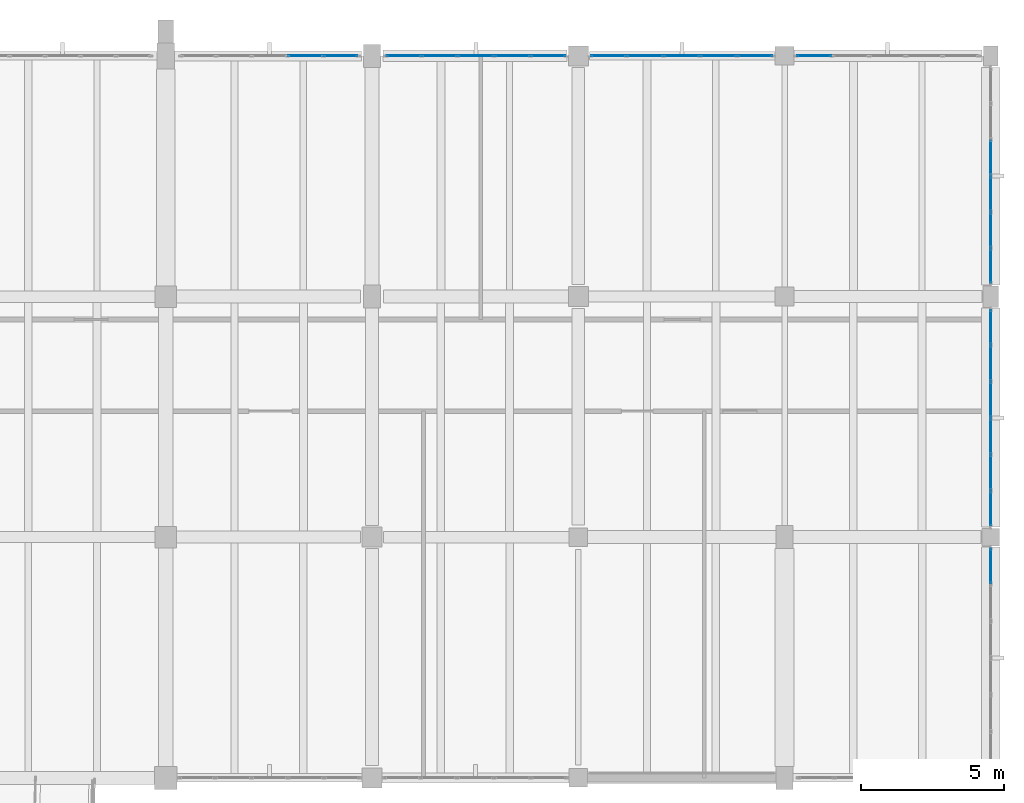
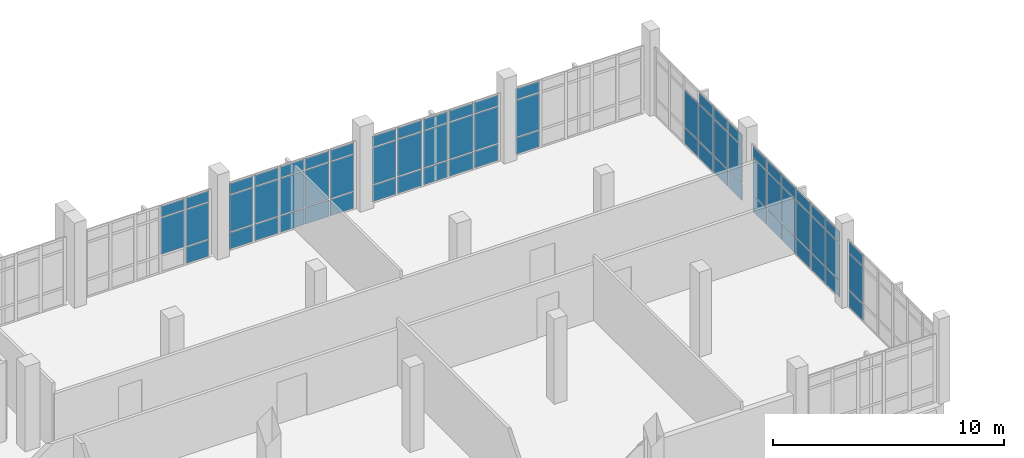
# One storey, part 98 of 116: 70 plates, 7 elements without a shape of their own.
"""IFC4 building model written with IfcOpenShell, lengths in metres."""

from ifc_helpers import new_model, si_unit, direction, frame, origin, origin_2d, place, context, subcontext, project, spatial, rectangle, extrude, material, layer, layer_set, type_object, element, aggregate, save


model = new_model("IFC4")

# Units and contexts
model_context = context("Model", 3, precision=1e-05, world=origin(), true_north=direction((0.0, 1.0)))
body_context = subcontext(model_context, "Body", "Model", "MODEL_VIEW")
ifc_project = project(units=[si_unit("LENGTHUNIT", "METRE"), si_unit("AREAUNIT", "SQUARE_METRE"), si_unit("VOLUMEUNIT", "CUBIC_METRE"), si_unit("PLANEANGLEUNIT", "RADIAN"), si_unit("MASSUNIT", "GRAM", prefix="KILO")], contexts=[model_context])

# Site, building, storey
site_placement = place(None, origin())
site = spatial("IfcSite", under=ifc_project, at=site_placement, CompositionType="ELEMENT")
building_placement = place(site_placement, origin())
building = spatial("IfcBuilding", under=site, at=building_placement, Name="Kalluvel Institute of Natural Sciences", CompositionType="ELEMENT")
storey_placement = place(building_placement, frame((0.0, 0.0, 14.39990234375)))
storey = spatial("IfcBuildingStorey", under=building, at=storey_placement, Name="L03", CompositionType="ELEMENT", Elevation=14.39990234375)

# Curtain wall, plates
ifc_material_1 = material(Name="Aluminium AW-6063 T6", Category="aluminium")
curtain_wall_type = type_object("IfcCurtainWallType", Name="CW-WET-45", PredefinedType="USERDEFINED", material=ifc_material_1)
curtain_wall_1_placement = place(storey_placement, origin())
curtain_wall_1 = element("IfcCurtainWall", 1, at=curtain_wall_1_placement, inside=storey, type_object=curtain_wall_type, Name="L03 Gothic lancet curtain wall CWA-L03-X865-Y1280", ObjectType="UNITISED LANCET FACADE", PredefinedType="USERDEFINED")
ifc_material_2 = material(Name="Solar-Control Low-E Laminated Glass", Category="glass")
ifc_layer = layer(ifc_material_2, 0.028076171875)
ifc_layer_set = layer_set([ifc_layer], Name="Solar-Control Low-E Laminated Glass")
plate_type = type_object("IfcPlateType", Name="CWP-DGU-28", PredefinedType="CURTAIN_PANEL", material=ifc_layer_set)
plate_1_placement = place(storey_placement, frame((90.875, 128.0, 0.980224609375), z_axis=(0.0, 0.0, 1.0), x_axis=(1.0, 0.0, 0.0)))
plate_1 = element("IfcPlate", 2, at=plate_1_placement, type_object=plate_type, Name="CW-01 panel 4.2", PredefinedType="CURTAIN_PANEL", context=body_context, shape_type="SweptSolid", body=[
    extrude(rectangle(XDim=1.18994140625, YDim=0.028076171875, at=origin_2d()), origin(), (0.0, 0.0, 1.0), 1.919921875),
])
plate_2_placement = place(storey_placement, frame((90.875, 128.0, 2.9599609375), z_axis=(0.0, 0.0, 1.0), x_axis=(1.0, 0.0, 0.0)))
plate_2 = element("IfcPlate", 3, at=plate_2_placement, type_object=plate_type, Name="CW-01 panel 4.3", PredefinedType="CURTAIN_PANEL", context=body_context, shape_type="SweptSolid", body=[
    extrude(rectangle(XDim=1.18994140625, YDim=0.028076171875, at=origin_2d()), origin(), (0.0, 0.0, 1.0), 0.56005859375),
])
plate_3_placement = place(storey_placement, frame((92.110107421875, 128.0, 0.06005859375), z_axis=(0.0, 0.0, 1.0), x_axis=(1.0, 0.0, 0.0)))
plate_3 = element("IfcPlate", 4, at=plate_3_placement, type_object=plate_type, Name="CW-01 panel 5.1", PredefinedType="CURTAIN_PANEL", context=body_context, shape_type="SweptSolid", body=[
    extrude(rectangle(XDim=1.159912109375, YDim=0.028076171875, at=origin_2d()), origin(), (0.0, 0.0, 1.0), 0.860107421875),
])
plate_4_placement = place(storey_placement, frame((92.110107421875, 128.0, 0.980224609375), z_axis=(0.0, 0.0, 1.0), x_axis=(1.0, 0.0, 0.0)))
plate_4 = element("IfcPlate", 5, at=plate_4_placement, type_object=plate_type, Name="CW-01 panel 5.2", PredefinedType="CURTAIN_PANEL", context=body_context, shape_type="SweptSolid", body=[
    extrude(rectangle(XDim=1.159912109375, YDim=0.028076171875, at=origin_2d()), origin(), (0.0, 0.0, 1.0), 1.919921875),
])
plate_5_placement = place(storey_placement, frame((92.110107421875, 128.0, 2.9599609375), z_axis=(0.0, 0.0, 1.0), x_axis=(1.0, 0.0, 0.0)))
plate_5 = element("IfcPlate", 6, at=plate_5_placement, type_object=plate_type, Name="CW-01 panel 5.3", PredefinedType="CURTAIN_PANEL", context=body_context, shape_type="SweptSolid", body=[
    extrude(rectangle(XDim=1.159912109375, YDim=0.028076171875, at=origin_2d()), origin(), (0.0, 0.0, 1.0), 0.56005859375),
])
aggregate(curtain_wall_1, [plate_1, plate_2, plate_3, plate_4, plate_5])

curtain_wall_2_placement = place(storey_placement, origin())
curtain_wall_2 = element("IfcCurtainWall", 7, at=curtain_wall_2_placement, inside=storey, type_object=curtain_wall_type, Name="L03 Gothic lancet curtain wall CWA-L03-X936-Y1280", ObjectType="UNITISED LANCET FACADE", PredefinedType="USERDEFINED")
plate_6_placement = place(storey_placement, frame((94.300048828125, 128.0, 0.06005859375), z_axis=(0.0, 0.0, 1.0), x_axis=(1.0, 0.0, 0.0)))
plate_6 = element("IfcPlate", 8, at=plate_6_placement, type_object=plate_type, Name="CW-01 panel 1.1", PredefinedType="CURTAIN_PANEL", context=body_context, shape_type="SweptSolid", body=[
    extrude(rectangle(XDim=1.179931640625, YDim=0.028076171875, at=origin_2d()), origin(), (0.0, 0.0, 1.0), 0.860107421875),
])
plate_7_placement = place(storey_placement, frame((94.300048828125, 128.0, 0.980224609375), z_axis=(0.0, 0.0, 1.0), x_axis=(1.0, 0.0, 0.0)))
plate_7 = element("IfcPlate", 9, at=plate_7_placement, type_object=plate_type, Name="CW-01 panel 1.2", PredefinedType="CURTAIN_PANEL", context=body_context, shape_type="SweptSolid", body=[
    extrude(rectangle(XDim=1.179931640625, YDim=0.028076171875, at=origin_2d()), origin(), (0.0, 0.0, 1.0), 1.919921875),
])
plate_8_placement = place(storey_placement, frame((94.300048828125, 128.0, 2.9599609375), z_axis=(0.0, 0.0, 1.0), x_axis=(1.0, 0.0, 0.0)))
plate_8 = element("IfcPlate", 10, at=plate_8_placement, type_object=plate_type, Name="CW-01 panel 1.3", PredefinedType="CURTAIN_PANEL", context=body_context, shape_type="SweptSolid", body=[
    extrude(rectangle(XDim=1.179931640625, YDim=0.028076171875, at=origin_2d()), origin(), (0.0, 0.0, 1.0), 0.56005859375),
])
plate_9_placement = place(storey_placement, frame((95.554931640625, 128.0, 0.06005859375), z_axis=(0.0, 0.0, 1.0), x_axis=(1.0, 0.0, 0.0)))
plate_9 = element("IfcPlate", 11, at=plate_9_placement, type_object=plate_type, Name="CW-01 panel 2.1", PredefinedType="CURTAIN_PANEL", context=body_context, shape_type="SweptSolid", body=[
    extrude(rectangle(XDim=1.2099609375, YDim=0.028076171875, at=origin_2d()), origin(), (0.0, 0.0, 1.0), 0.860107421875),
])
plate_10_placement = place(storey_placement, frame((95.554931640625, 128.0, 0.980224609375), z_axis=(0.0, 0.0, 1.0), x_axis=(1.0, 0.0, 0.0)))
plate_10 = element("IfcPlate", 12, at=plate_10_placement, type_object=plate_type, Name="CW-01 panel 2.2", PredefinedType="CURTAIN_PANEL", context=body_context, shape_type="SweptSolid", body=[
    extrude(rectangle(XDim=1.2099609375, YDim=0.028076171875, at=origin_2d()), origin(), (0.0, 0.0, 1.0), 1.919921875),
])
plate_11_placement = place(storey_placement, frame((95.554931640625, 128.0, 2.9599609375), z_axis=(0.0, 0.0, 1.0), x_axis=(1.0, 0.0, 0.0)))
plate_11 = element("IfcPlate", 13, at=plate_11_placement, type_object=plate_type, Name="CW-01 panel 2.3", PredefinedType="CURTAIN_PANEL", context=body_context, shape_type="SweptSolid", body=[
    extrude(rectangle(XDim=1.2099609375, YDim=0.028076171875, at=origin_2d()), origin(), (0.0, 0.0, 1.0), 0.56005859375),
])
plate_12_placement = place(storey_placement, frame((96.824951171875, 128.0, 0.06005859375), z_axis=(0.0, 0.0, 1.0), x_axis=(1.0, 0.0, 0.0)))
plate_12 = element("IfcPlate", 14, at=plate_12_placement, type_object=plate_type, Name="CW-01 panel 3.1", PredefinedType="CURTAIN_PANEL", context=body_context, shape_type="SweptSolid", body=[
    extrude(rectangle(XDim=1.2099609375, YDim=0.028076171875, at=origin_2d()), origin(), (0.0, 0.0, 1.0), 0.860107421875),
])
plate_13_placement = place(storey_placement, frame((96.824951171875, 128.0, 0.980224609375), z_axis=(0.0, 0.0, 1.0), x_axis=(1.0, 0.0, 0.0)))
plate_13 = element("IfcPlate", 15, at=plate_13_placement, type_object=plate_type, Name="CW-01 panel 3.2", PredefinedType="CURTAIN_PANEL", context=body_context, shape_type="SweptSolid", body=[
    extrude(rectangle(XDim=1.2099609375, YDim=0.028076171875, at=origin_2d()), origin(), (0.0, 0.0, 1.0), 1.919921875),
])
plate_14_placement = place(storey_placement, frame((96.824951171875, 128.0, 2.9599609375), z_axis=(0.0, 0.0, 1.0), x_axis=(1.0, 0.0, 0.0)))
plate_14 = element("IfcPlate", 16, at=plate_14_placement, type_object=plate_type, Name="CW-01 panel 3.3", PredefinedType="CURTAIN_PANEL", context=body_context, shape_type="SweptSolid", body=[
    extrude(rectangle(XDim=1.2099609375, YDim=0.028076171875, at=origin_2d()), origin(), (0.0, 0.0, 1.0), 0.56005859375),
])
plate_15_placement = place(storey_placement, frame((98.094970703125, 128.0, 0.06005859375), z_axis=(0.0, 0.0, 1.0), x_axis=(1.0, 0.0, 0.0)))
plate_15 = element("IfcPlate", 17, at=plate_15_placement, type_object=plate_type, Name="CW-01 panel 4.1", PredefinedType="CURTAIN_PANEL", context=body_context, shape_type="SweptSolid", body=[
    extrude(rectangle(XDim=1.2099609375, YDim=0.028076171875, at=origin_2d()), origin(), (0.0, 0.0, 1.0), 0.860107421875),
])
plate_16_placement = place(storey_placement, frame((98.094970703125, 128.0, 0.980224609375), z_axis=(0.0, 0.0, 1.0), x_axis=(1.0, 0.0, 0.0)))
plate_16 = element("IfcPlate", 18, at=plate_16_placement, type_object=plate_type, Name="CW-01 panel 4.2", PredefinedType="CURTAIN_PANEL", context=body_context, shape_type="SweptSolid", body=[
    extrude(rectangle(XDim=1.2099609375, YDim=0.028076171875, at=origin_2d()), origin(), (0.0, 0.0, 1.0), 1.919921875),
])
plate_17_placement = place(storey_placement, frame((98.094970703125, 128.0, 2.9599609375), z_axis=(0.0, 0.0, 1.0), x_axis=(1.0, 0.0, 0.0)))
plate_17 = element("IfcPlate", 19, at=plate_17_placement, type_object=plate_type, Name="CW-01 panel 4.3", PredefinedType="CURTAIN_PANEL", context=body_context, shape_type="SweptSolid", body=[
    extrude(rectangle(XDim=1.2099609375, YDim=0.028076171875, at=origin_2d()), origin(), (0.0, 0.0, 1.0), 0.56005859375),
])
plate_18_placement = place(storey_placement, frame((99.35009765625, 128.0, 0.06005859375), z_axis=(0.0, 0.0, 1.0), x_axis=(1.0, 0.0, 0.0)))
plate_18 = element("IfcPlate", 20, at=plate_18_placement, type_object=plate_type, Name="CW-01 panel 5.1", PredefinedType="CURTAIN_PANEL", context=body_context, shape_type="SweptSolid", body=[
    extrude(rectangle(XDim=1.179931640625, YDim=0.028076171875, at=origin_2d()), origin(), (0.0, 0.0, 1.0), 0.860107421875),
])
plate_19_placement = place(storey_placement, frame((99.35009765625, 128.0, 0.980224609375), z_axis=(0.0, 0.0, 1.0), x_axis=(1.0, 0.0, 0.0)))
plate_19 = element("IfcPlate", 21, at=plate_19_placement, type_object=plate_type, Name="CW-01 panel 5.2", PredefinedType="CURTAIN_PANEL", context=body_context, shape_type="SweptSolid", body=[
    extrude(rectangle(XDim=1.179931640625, YDim=0.028076171875, at=origin_2d()), origin(), (0.0, 0.0, 1.0), 1.919921875),
])
plate_20_placement = place(storey_placement, frame((99.35009765625, 128.0, 2.9599609375), z_axis=(0.0, 0.0, 1.0), x_axis=(1.0, 0.0, 0.0)))
plate_20 = element("IfcPlate", 22, at=plate_20_placement, type_object=plate_type, Name="CW-01 panel 5.3", PredefinedType="CURTAIN_PANEL", context=body_context, shape_type="SweptSolid", body=[
    extrude(rectangle(XDim=1.179931640625, YDim=0.028076171875, at=origin_2d()), origin(), (0.0, 0.0, 1.0), 0.56005859375),
])
aggregate(curtain_wall_2, [plate_6, plate_7, plate_8, plate_9, plate_10, plate_11, plate_12, plate_13, plate_14, plate_15, plate_16, plate_17, plate_18, plate_19, plate_20])

curtain_wall_3_placement = place(storey_placement, origin())
curtain_wall_3 = element("IfcCurtainWall", 23, at=curtain_wall_3_placement, inside=storey, type_object=curtain_wall_type, Name="L03 Gothic lancet curtain wall CWA-L03-X1008-Y1280", ObjectType="UNITISED LANCET FACADE", PredefinedType="USERDEFINED")
plate_21_placement = place(storey_placement, frame((101.45751953125, 128.0, 0.06005859375), z_axis=(0.0, 0.0, 1.0), x_axis=(1.0, 0.0, 0.0)))
plate_21 = element("IfcPlate", 24, at=plate_21_placement, type_object=plate_type, Name="CW-01 panel 1.1", PredefinedType="CURTAIN_PANEL", context=body_context, shape_type="SweptSolid", body=[
    extrude(rectangle(XDim=1.195068359375, YDim=0.028076171875, at=origin_2d()), origin(), (0.0, 0.0, 1.0), 0.860107421875),
])
plate_22_placement = place(storey_placement, frame((101.45751953125, 128.0, 0.980224609375), z_axis=(0.0, 0.0, 1.0), x_axis=(1.0, 0.0, 0.0)))
plate_22 = element("IfcPlate", 25, at=plate_22_placement, type_object=plate_type, Name="CW-01 panel 1.2", PredefinedType="CURTAIN_PANEL", context=body_context, shape_type="SweptSolid", body=[
    extrude(rectangle(XDim=1.195068359375, YDim=0.028076171875, at=origin_2d()), origin(), (0.0, 0.0, 1.0), 1.919921875),
])
plate_23_placement = place(storey_placement, frame((101.45751953125, 128.0, 2.9599609375), z_axis=(0.0, 0.0, 1.0), x_axis=(1.0, 0.0, 0.0)))
plate_23 = element("IfcPlate", 26, at=plate_23_placement, type_object=plate_type, Name="CW-01 panel 1.3", PredefinedType="CURTAIN_PANEL", context=body_context, shape_type="SweptSolid", body=[
    extrude(rectangle(XDim=1.195068359375, YDim=0.028076171875, at=origin_2d()), origin(), (0.0, 0.0, 1.0), 0.56005859375),
])
plate_24_placement = place(storey_placement, frame((102.7275390625, 128.0, 0.06005859375), z_axis=(0.0, 0.0, 1.0), x_axis=(1.0, 0.0, 0.0)))
plate_24 = element("IfcPlate", 27, at=plate_24_placement, type_object=plate_type, Name="CW-01 panel 2.1", PredefinedType="CURTAIN_PANEL", context=body_context, shape_type="SweptSolid", body=[
    extrude(rectangle(XDim=1.22509765625, YDim=0.028076171875, at=origin_2d()), origin(), (0.0, 0.0, 1.0), 0.860107421875),
])
plate_25_placement = place(storey_placement, frame((102.7275390625, 128.0, 0.980224609375), z_axis=(0.0, 0.0, 1.0), x_axis=(1.0, 0.0, 0.0)))
plate_25 = element("IfcPlate", 28, at=plate_25_placement, type_object=plate_type, Name="CW-01 panel 2.2", PredefinedType="CURTAIN_PANEL", context=body_context, shape_type="SweptSolid", body=[
    extrude(rectangle(XDim=1.22509765625, YDim=0.028076171875, at=origin_2d()), origin(), (0.0, 0.0, 1.0), 1.919921875),
])
plate_26_placement = place(storey_placement, frame((102.7275390625, 128.0, 2.9599609375), z_axis=(0.0, 0.0, 1.0), x_axis=(1.0, 0.0, 0.0)))
plate_26 = element("IfcPlate", 29, at=plate_26_placement, type_object=plate_type, Name="CW-01 panel 2.3", PredefinedType="CURTAIN_PANEL", context=body_context, shape_type="SweptSolid", body=[
    extrude(rectangle(XDim=1.22509765625, YDim=0.028076171875, at=origin_2d()), origin(), (0.0, 0.0, 1.0), 0.56005859375),
])
plate_27_placement = place(storey_placement, frame((104.012451171875, 128.0, 0.06005859375), z_axis=(0.0, 0.0, 1.0), x_axis=(1.0, 0.0, 0.0)))
plate_27 = element("IfcPlate", 30, at=plate_27_placement, type_object=plate_type, Name="CW-01 panel 3.1", PredefinedType="CURTAIN_PANEL", context=body_context, shape_type="SweptSolid", body=[
    extrude(rectangle(XDim=1.22509765625, YDim=0.028076171875, at=origin_2d()), origin(), (0.0, 0.0, 1.0), 0.860107421875),
])
plate_28_placement = place(storey_placement, frame((104.012451171875, 128.0, 0.980224609375), z_axis=(0.0, 0.0, 1.0), x_axis=(1.0, 0.0, 0.0)))
plate_28 = element("IfcPlate", 31, at=plate_28_placement, type_object=plate_type, Name="CW-01 panel 3.2", PredefinedType="CURTAIN_PANEL", context=body_context, shape_type="SweptSolid", body=[
    extrude(rectangle(XDim=1.22509765625, YDim=0.028076171875, at=origin_2d()), origin(), (0.0, 0.0, 1.0), 1.919921875),
])
plate_29_placement = place(storey_placement, frame((104.012451171875, 128.0, 2.9599609375), z_axis=(0.0, 0.0, 1.0), x_axis=(1.0, 0.0, 0.0)))
plate_29 = element("IfcPlate", 32, at=plate_29_placement, type_object=plate_type, Name="CW-01 panel 3.3", PredefinedType="CURTAIN_PANEL", context=body_context, shape_type="SweptSolid", body=[
    extrude(rectangle(XDim=1.22509765625, YDim=0.028076171875, at=origin_2d()), origin(), (0.0, 0.0, 1.0), 0.56005859375),
])
plate_30_placement = place(storey_placement, frame((105.297607421875, 128.0, 0.06005859375), z_axis=(0.0, 0.0, 1.0), x_axis=(1.0, 0.0, 0.0)))
plate_30 = element("IfcPlate", 33, at=plate_30_placement, type_object=plate_type, Name="CW-01 panel 4.1", PredefinedType="CURTAIN_PANEL", context=body_context, shape_type="SweptSolid", body=[
    extrude(rectangle(XDim=1.22509765625, YDim=0.028076171875, at=origin_2d()), origin(), (0.0, 0.0, 1.0), 0.860107421875),
])
plate_31_placement = place(storey_placement, frame((105.297607421875, 128.0, 0.980224609375), z_axis=(0.0, 0.0, 1.0), x_axis=(1.0, 0.0, 0.0)))
plate_31 = element("IfcPlate", 34, at=plate_31_placement, type_object=plate_type, Name="CW-01 panel 4.2", PredefinedType="CURTAIN_PANEL", context=body_context, shape_type="SweptSolid", body=[
    extrude(rectangle(XDim=1.22509765625, YDim=0.028076171875, at=origin_2d()), origin(), (0.0, 0.0, 1.0), 1.919921875),
])
plate_32_placement = place(storey_placement, frame((105.297607421875, 128.0, 2.9599609375), z_axis=(0.0, 0.0, 1.0), x_axis=(1.0, 0.0, 0.0)))
plate_32 = element("IfcPlate", 35, at=plate_32_placement, type_object=plate_type, Name="CW-01 panel 4.3", PredefinedType="CURTAIN_PANEL", context=body_context, shape_type="SweptSolid", body=[
    extrude(rectangle(XDim=1.22509765625, YDim=0.028076171875, at=origin_2d()), origin(), (0.0, 0.0, 1.0), 0.56005859375),
])
plate_33_placement = place(storey_placement, frame((106.5673828125, 128.0, 0.06005859375), z_axis=(0.0, 0.0, 1.0), x_axis=(1.0, 0.0, 0.0)))
plate_33 = element("IfcPlate", 36, at=plate_33_placement, type_object=plate_type, Name="CW-01 panel 5.1", PredefinedType="CURTAIN_PANEL", context=body_context, shape_type="SweptSolid", body=[
    extrude(rectangle(XDim=1.195068359375, YDim=0.028076171875, at=origin_2d()), origin(), (0.0, 0.0, 1.0), 0.860107421875),
])
plate_34_placement = place(storey_placement, frame((106.5673828125, 128.0, 0.980224609375), z_axis=(0.0, 0.0, 1.0), x_axis=(1.0, 0.0, 0.0)))
plate_34 = element("IfcPlate", 37, at=plate_34_placement, type_object=plate_type, Name="CW-01 panel 5.2", PredefinedType="CURTAIN_PANEL", context=body_context, shape_type="SweptSolid", body=[
    extrude(rectangle(XDim=1.195068359375, YDim=0.028076171875, at=origin_2d()), origin(), (0.0, 0.0, 1.0), 1.919921875),
])
plate_35_placement = place(storey_placement, frame((106.5673828125, 128.0, 2.9599609375), z_axis=(0.0, 0.0, 1.0), x_axis=(1.0, 0.0, 0.0)))
plate_35 = element("IfcPlate", 38, at=plate_35_placement, type_object=plate_type, Name="CW-01 panel 5.3", PredefinedType="CURTAIN_PANEL", context=body_context, shape_type="SweptSolid", body=[
    extrude(rectangle(XDim=1.195068359375, YDim=0.028076171875, at=origin_2d()), origin(), (0.0, 0.0, 1.0), 0.56005859375),
])
aggregate(curtain_wall_3, [plate_21, plate_22, plate_23, plate_24, plate_25, plate_26, plate_27, plate_28, plate_29, plate_30, plate_31, plate_32, plate_33, plate_34, plate_35])

curtain_wall_4_placement = place(storey_placement, origin())
curtain_wall_4 = element("IfcCurtainWall", 39, at=curtain_wall_4_placement, inside=storey, type_object=curtain_wall_type, Name="L03 Gothic lancet curtain wall CWA-L03-X1080-Y1280", ObjectType="UNITISED LANCET FACADE", PredefinedType="USERDEFINED")
plate_36_placement = place(storey_placement, frame((108.632568359375, 128.0, 0.06005859375), z_axis=(0.0, 0.0, 1.0), x_axis=(1.0, 0.0, 0.0)))
plate_36 = element("IfcPlate", 40, at=plate_36_placement, type_object=plate_type, Name="CW-01 panel 1.1", PredefinedType="CURTAIN_PANEL", context=body_context, shape_type="SweptSolid", body=[
    extrude(rectangle(XDim=1.195068359375, YDim=0.028076171875, at=origin_2d()), origin(), (0.0, 0.0, 1.0), 0.860107421875),
])
plate_37_placement = place(storey_placement, frame((108.632568359375, 128.0, 0.980224609375), z_axis=(0.0, 0.0, 1.0), x_axis=(1.0, 0.0, 0.0)))
plate_37 = element("IfcPlate", 41, at=plate_37_placement, type_object=plate_type, Name="CW-01 panel 1.2", PredefinedType="CURTAIN_PANEL", context=body_context, shape_type="SweptSolid", body=[
    extrude(rectangle(XDim=1.195068359375, YDim=0.028076171875, at=origin_2d()), origin(), (0.0, 0.0, 1.0), 1.919921875),
])
plate_38_placement = place(storey_placement, frame((108.632568359375, 128.0, 2.9599609375), z_axis=(0.0, 0.0, 1.0), x_axis=(1.0, 0.0, 0.0)))
plate_38 = element("IfcPlate", 42, at=plate_38_placement, type_object=plate_type, Name="CW-01 panel 1.3", PredefinedType="CURTAIN_PANEL", context=body_context, shape_type="SweptSolid", body=[
    extrude(rectangle(XDim=1.195068359375, YDim=0.028076171875, at=origin_2d()), origin(), (0.0, 0.0, 1.0), 0.56005859375),
])
aggregate(curtain_wall_4, [plate_36, plate_37, plate_38])

curtain_wall_5_placement = place(storey_placement, origin())
curtain_wall_5 = element("IfcCurtainWall", 43, at=curtain_wall_5_placement, inside=storey, type_object=curtain_wall_type, Name="L03 Gothic lancet curtain wall CWA-L03-X1148-Y1031", ObjectType="UNITISED LANCET FACADE", PredefinedType="USERDEFINED")
plate_39_placement = place(storey_placement, frame((114.800048828125, 110.191162109375, 0.06005859375), z_axis=(0.0, 0.0, 1.0), x_axis=(0.0, 1.0, 0.0)))
plate_39 = element("IfcPlate", 44, at=plate_39_placement, type_object=plate_type, Name="CW-01 panel 6.1", PredefinedType="CURTAIN_PANEL", context=body_context, shape_type="SweptSolid", body=[
    extrude(rectangle(XDim=1.197509765625, YDim=0.028076171875, at=origin_2d()), origin(), (0.0, 0.0, 1.0), 0.860107421875),
])
plate_40_placement = place(storey_placement, frame((114.800048828125, 110.191162109375, 0.980224609375), z_axis=(0.0, 0.0, 1.0), x_axis=(0.0, 1.0, 0.0)))
plate_40 = element("IfcPlate", 45, at=plate_40_placement, type_object=plate_type, Name="CW-01 panel 6.2", PredefinedType="CURTAIN_PANEL", context=body_context, shape_type="SweptSolid", body=[
    extrude(rectangle(XDim=1.197509765625, YDim=0.028076171875, at=origin_2d()), origin(), (0.0, 0.0, 1.0), 1.919921875),
])
plate_41_placement = place(storey_placement, frame((114.800048828125, 110.191162109375, 2.9599609375), z_axis=(0.0, 0.0, 1.0), x_axis=(0.0, 1.0, 0.0)))
plate_41 = element("IfcPlate", 46, at=plate_41_placement, type_object=plate_type, Name="CW-01 panel 6.3", PredefinedType="CURTAIN_PANEL", context=body_context, shape_type="SweptSolid", body=[
    extrude(rectangle(XDim=1.197509765625, YDim=0.028076171875, at=origin_2d()), origin(), (0.0, 0.0, 1.0), 0.56005859375),
])
aggregate(curtain_wall_5, [plate_39, plate_40, plate_41])

curtain_wall_6_placement = place(storey_placement, origin())
curtain_wall_6 = element("IfcCurtainWall", 47, at=curtain_wall_6_placement, inside=storey, type_object=curtain_wall_type, Name="L03 Gothic lancet curtain wall CWA-L03-X1148-Y1116", ObjectType="UNITISED LANCET FACADE", PredefinedType="USERDEFINED")
plate_42_placement = place(storey_placement, frame((114.800048828125, 112.200439453125, 0.06005859375), z_axis=(0.0, 0.0, 1.0), x_axis=(0.0, 1.0, 0.0)))
plate_42 = element("IfcPlate", 48, at=plate_42_placement, type_object=plate_type, Name="CW-01 panel 1.1", PredefinedType="CURTAIN_PANEL", context=body_context, shape_type="SweptSolid", body=[
    extrude(rectangle(XDim=1.180908203125, YDim=0.028076171875, at=origin_2d()), origin(), (0.0, 0.0, 1.0), 0.860107421875),
])
plate_43_placement = place(storey_placement, frame((114.800048828125, 112.200439453125, 0.980224609375), z_axis=(0.0, 0.0, 1.0), x_axis=(0.0, 1.0, 0.0)))
plate_43 = element("IfcPlate", 49, at=plate_43_placement, type_object=plate_type, Name="CW-01 panel 1.2", PredefinedType="CURTAIN_PANEL", context=body_context, shape_type="SweptSolid", body=[
    extrude(rectangle(XDim=1.180908203125, YDim=0.028076171875, at=origin_2d()), origin(), (0.0, 0.0, 1.0), 1.919921875),
])
plate_44_placement = place(storey_placement, frame((114.800048828125, 112.200439453125, 2.9599609375), z_axis=(0.0, 0.0, 1.0), x_axis=(0.0, 1.0, 0.0)))
plate_44 = element("IfcPlate", 50, at=plate_44_placement, type_object=plate_type, Name="CW-01 panel 1.3", PredefinedType="CURTAIN_PANEL", context=body_context, shape_type="SweptSolid", body=[
    extrude(rectangle(XDim=1.180908203125, YDim=0.028076171875, at=origin_2d()), origin(), (0.0, 0.0, 1.0), 0.56005859375),
])
plate_45_placement = place(storey_placement, frame((114.800048828125, 113.456298828125, 0.06005859375), z_axis=(0.0, 0.0, 1.0), x_axis=(0.0, 1.0, 0.0)))
plate_45 = element("IfcPlate", 51, at=plate_45_placement, type_object=plate_type, Name="CW-01 panel 2.1", PredefinedType="CURTAIN_PANEL", context=body_context, shape_type="SweptSolid", body=[
    extrude(rectangle(XDim=1.2109375, YDim=0.028076171875, at=origin_2d()), origin(), (0.0, 0.0, 1.0), 0.860107421875),
])
plate_46_placement = place(storey_placement, frame((114.800048828125, 113.456298828125, 0.980224609375), z_axis=(0.0, 0.0, 1.0), x_axis=(0.0, 1.0, 0.0)))
plate_46 = element("IfcPlate", 52, at=plate_46_placement, type_object=plate_type, Name="CW-01 panel 2.2", PredefinedType="CURTAIN_PANEL", context=body_context, shape_type="SweptSolid", body=[
    extrude(rectangle(XDim=1.2109375, YDim=0.028076171875, at=origin_2d()), origin(), (0.0, 0.0, 1.0), 1.919921875),
])
plate_47_placement = place(storey_placement, frame((114.800048828125, 113.456298828125, 2.9599609375), z_axis=(0.0, 0.0, 1.0), x_axis=(0.0, 1.0, 0.0)))
plate_47 = element("IfcPlate", 53, at=plate_47_placement, type_object=plate_type, Name="CW-01 panel 2.3", PredefinedType="CURTAIN_PANEL", context=body_context, shape_type="SweptSolid", body=[
    extrude(rectangle(XDim=1.2109375, YDim=0.028076171875, at=origin_2d()), origin(), (0.0, 0.0, 1.0), 0.56005859375),
])
plate_48_placement = place(storey_placement, frame((114.800048828125, 114.72705078125, 0.06005859375), z_axis=(0.0, 0.0, 1.0), x_axis=(0.0, 1.0, 0.0)))
plate_48 = element("IfcPlate", 54, at=plate_48_placement, type_object=plate_type, Name="CW-01 panel 3.1", PredefinedType="CURTAIN_PANEL", context=body_context, shape_type="SweptSolid", body=[
    extrude(rectangle(XDim=1.2109375, YDim=0.028076171875, at=origin_2d()), origin(), (0.0, 0.0, 1.0), 0.860107421875),
])
plate_49_placement = place(storey_placement, frame((114.800048828125, 114.72705078125, 0.980224609375), z_axis=(0.0, 0.0, 1.0), x_axis=(0.0, 1.0, 0.0)))
plate_49 = element("IfcPlate", 55, at=plate_49_placement, type_object=plate_type, Name="CW-01 panel 3.2", PredefinedType="CURTAIN_PANEL", context=body_context, shape_type="SweptSolid", body=[
    extrude(rectangle(XDim=1.2109375, YDim=0.028076171875, at=origin_2d()), origin(), (0.0, 0.0, 1.0), 1.919921875),
])
plate_50_placement = place(storey_placement, frame((114.800048828125, 114.72705078125, 2.9599609375), z_axis=(0.0, 0.0, 1.0), x_axis=(0.0, 1.0, 0.0)))
plate_50 = element("IfcPlate", 56, at=plate_50_placement, type_object=plate_type, Name="CW-01 panel 3.3", PredefinedType="CURTAIN_PANEL", context=body_context, shape_type="SweptSolid", body=[
    extrude(rectangle(XDim=1.2109375, YDim=0.028076171875, at=origin_2d()), origin(), (0.0, 0.0, 1.0), 0.56005859375),
])
plate_51_placement = place(storey_placement, frame((114.800048828125, 115.997802734375, 0.06005859375), z_axis=(0.0, 0.0, 1.0), x_axis=(0.0, 1.0, 0.0)))
plate_51 = element("IfcPlate", 57, at=plate_51_placement, type_object=plate_type, Name="CW-01 panel 4.1", PredefinedType="CURTAIN_PANEL", context=body_context, shape_type="SweptSolid", body=[
    extrude(rectangle(XDim=1.2109375, YDim=0.028076171875, at=origin_2d()), origin(), (0.0, 0.0, 1.0), 0.860107421875),
])
plate_52_placement = place(storey_placement, frame((114.800048828125, 115.997802734375, 0.980224609375), z_axis=(0.0, 0.0, 1.0), x_axis=(0.0, 1.0, 0.0)))
plate_52 = element("IfcPlate", 58, at=plate_52_placement, type_object=plate_type, Name="CW-01 panel 4.2", PredefinedType="CURTAIN_PANEL", context=body_context, shape_type="SweptSolid", body=[
    extrude(rectangle(XDim=1.2109375, YDim=0.028076171875, at=origin_2d()), origin(), (0.0, 0.0, 1.0), 1.919921875),
])
plate_53_placement = place(storey_placement, frame((114.800048828125, 115.997802734375, 2.9599609375), z_axis=(0.0, 0.0, 1.0), x_axis=(0.0, 1.0, 0.0)))
plate_53 = element("IfcPlate", 59, at=plate_53_placement, type_object=plate_type, Name="CW-01 panel 4.3", PredefinedType="CURTAIN_PANEL", context=body_context, shape_type="SweptSolid", body=[
    extrude(rectangle(XDim=1.2109375, YDim=0.028076171875, at=origin_2d()), origin(), (0.0, 0.0, 1.0), 0.56005859375),
])
plate_54_placement = place(storey_placement, frame((114.800048828125, 117.268798828125, 0.06005859375), z_axis=(0.0, 0.0, 1.0), x_axis=(0.0, 1.0, 0.0)))
plate_54 = element("IfcPlate", 60, at=plate_54_placement, type_object=plate_type, Name="CW-01 panel 5.1", PredefinedType="CURTAIN_PANEL", context=body_context, shape_type="SweptSolid", body=[
    extrude(rectangle(XDim=1.2109375, YDim=0.028076171875, at=origin_2d()), origin(), (0.0, 0.0, 1.0), 0.860107421875),
])
plate_55_placement = place(storey_placement, frame((114.800048828125, 117.268798828125, 0.980224609375), z_axis=(0.0, 0.0, 1.0), x_axis=(0.0, 1.0, 0.0)))
plate_55 = element("IfcPlate", 61, at=plate_55_placement, type_object=plate_type, Name="CW-01 panel 5.2", PredefinedType="CURTAIN_PANEL", context=body_context, shape_type="SweptSolid", body=[
    extrude(rectangle(XDim=1.2109375, YDim=0.028076171875, at=origin_2d()), origin(), (0.0, 0.0, 1.0), 1.919921875),
])
plate_56_placement = place(storey_placement, frame((114.800048828125, 117.268798828125, 2.9599609375), z_axis=(0.0, 0.0, 1.0), x_axis=(0.0, 1.0, 0.0)))
plate_56 = element("IfcPlate", 62, at=plate_56_placement, type_object=plate_type, Name="CW-01 panel 5.3", PredefinedType="CURTAIN_PANEL", context=body_context, shape_type="SweptSolid", body=[
    extrude(rectangle(XDim=1.2109375, YDim=0.028076171875, at=origin_2d()), origin(), (0.0, 0.0, 1.0), 0.56005859375),
])
plate_57_placement = place(storey_placement, frame((114.800048828125, 118.524658203125, 0.06005859375), z_axis=(0.0, 0.0, 1.0), x_axis=(0.0, 1.0, 0.0)))
plate_57 = element("IfcPlate", 63, at=plate_57_placement, type_object=plate_type, Name="CW-01 panel 6.1", PredefinedType="CURTAIN_PANEL", context=body_context, shape_type="SweptSolid", body=[
    extrude(rectangle(XDim=1.180908203125, YDim=0.028076171875, at=origin_2d()), origin(), (0.0, 0.0, 1.0), 0.860107421875),
])
plate_58_placement = place(storey_placement, frame((114.800048828125, 118.524658203125, 0.980224609375), z_axis=(0.0, 0.0, 1.0), x_axis=(0.0, 1.0, 0.0)))
plate_58 = element("IfcPlate", 64, at=plate_58_placement, type_object=plate_type, Name="CW-01 panel 6.2", PredefinedType="CURTAIN_PANEL", context=body_context, shape_type="SweptSolid", body=[
    extrude(rectangle(XDim=1.180908203125, YDim=0.028076171875, at=origin_2d()), origin(), (0.0, 0.0, 1.0), 1.919921875),
])
plate_59_placement = place(storey_placement, frame((114.800048828125, 118.524658203125, 2.9599609375), z_axis=(0.0, 0.0, 1.0), x_axis=(0.0, 1.0, 0.0)))
plate_59 = element("IfcPlate", 65, at=plate_59_placement, type_object=plate_type, Name="CW-01 panel 6.3", PredefinedType="CURTAIN_PANEL", context=body_context, shape_type="SweptSolid", body=[
    extrude(rectangle(XDim=1.180908203125, YDim=0.028076171875, at=origin_2d()), origin(), (0.0, 0.0, 1.0), 0.56005859375),
])
aggregate(curtain_wall_6, [plate_42, plate_43, plate_44, plate_45, plate_46, plate_47, plate_48, plate_49, plate_50, plate_51, plate_52, plate_53, plate_54, plate_55, plate_56, plate_57, plate_58, plate_59])

curtain_wall_7_placement = place(storey_placement, origin())
curtain_wall_7 = element("IfcCurtainWall", 66, at=curtain_wall_7_placement, inside=storey, type_object=curtain_wall_type, Name="L03 Gothic lancet curtain wall CWA-L03-X1148-Y1200", ObjectType="UNITISED LANCET FACADE", PredefinedType="USERDEFINED")
plate_60_placement = place(storey_placement, frame((114.800048828125, 120.671142578125, 0.06005859375), z_axis=(0.0, 0.0, 1.0), x_axis=(0.0, 1.0, 0.0)))
plate_60 = element("IfcPlate", 67, at=plate_60_placement, type_object=plate_type, Name="CW-01 panel 1.1", PredefinedType="CURTAIN_PANEL", context=body_context, shape_type="SweptSolid", body=[
    extrude(rectangle(XDim=1.172607421875, YDim=0.028076171875, at=origin_2d()), origin(), (0.0, 0.0, 1.0), 0.860107421875),
])
plate_61_placement = place(storey_placement, frame((114.800048828125, 120.671142578125, 0.980224609375), z_axis=(0.0, 0.0, 1.0), x_axis=(0.0, 1.0, 0.0)))
plate_61 = element("IfcPlate", 68, at=plate_61_placement, type_object=plate_type, Name="CW-01 panel 1.2", PredefinedType="CURTAIN_PANEL", context=body_context, shape_type="SweptSolid", body=[
    extrude(rectangle(XDim=1.172607421875, YDim=0.028076171875, at=origin_2d()), origin(), (0.0, 0.0, 1.0), 1.919921875),
])
plate_62_placement = place(storey_placement, frame((114.800048828125, 120.671142578125, 2.9599609375), z_axis=(0.0, 0.0, 1.0), x_axis=(0.0, 1.0, 0.0)))
plate_62 = element("IfcPlate", 69, at=plate_62_placement, type_object=plate_type, Name="CW-01 panel 1.3", PredefinedType="CURTAIN_PANEL", context=body_context, shape_type="SweptSolid", body=[
    extrude(rectangle(XDim=1.172607421875, YDim=0.028076171875, at=origin_2d()), origin(), (0.0, 0.0, 1.0), 0.56005859375),
])
plate_63_placement = place(storey_placement, frame((114.800048828125, 121.918701171875, 0.06005859375), z_axis=(0.0, 0.0, 1.0), x_axis=(0.0, 1.0, 0.0)))
plate_63 = element("IfcPlate", 70, at=plate_63_placement, type_object=plate_type, Name="CW-01 panel 2.1", PredefinedType="CURTAIN_PANEL", context=body_context, shape_type="SweptSolid", body=[
    extrude(rectangle(XDim=1.202392578125, YDim=0.028076171875, at=origin_2d()), origin(), (0.0, 0.0, 1.0), 0.860107421875),
])
plate_64_placement = place(storey_placement, frame((114.800048828125, 121.918701171875, 0.980224609375), z_axis=(0.0, 0.0, 1.0), x_axis=(0.0, 1.0, 0.0)))
plate_64 = element("IfcPlate", 71, at=plate_64_placement, type_object=plate_type, Name="CW-01 panel 2.2", PredefinedType="CURTAIN_PANEL", context=body_context, shape_type="SweptSolid", body=[
    extrude(rectangle(XDim=1.202392578125, YDim=0.028076171875, at=origin_2d()), origin(), (0.0, 0.0, 1.0), 1.919921875),
])
plate_65_placement = place(storey_placement, frame((114.800048828125, 121.918701171875, 2.9599609375), z_axis=(0.0, 0.0, 1.0), x_axis=(0.0, 1.0, 0.0)))
plate_65 = element("IfcPlate", 72, at=plate_65_placement, type_object=plate_type, Name="CW-01 panel 2.3", PredefinedType="CURTAIN_PANEL", context=body_context, shape_type="SweptSolid", body=[
    extrude(rectangle(XDim=1.202392578125, YDim=0.028076171875, at=origin_2d()), origin(), (0.0, 0.0, 1.0), 0.56005859375),
])
plate_66_placement = place(storey_placement, frame((114.800048828125, 123.18115234375, 0.06005859375), z_axis=(0.0, 0.0, 1.0), x_axis=(0.0, 1.0, 0.0)))
plate_66 = element("IfcPlate", 73, at=plate_66_placement, type_object=plate_type, Name="CW-01 panel 3.1", PredefinedType="CURTAIN_PANEL", context=body_context, shape_type="SweptSolid", body=[
    extrude(rectangle(XDim=1.202392578125, YDim=0.028076171875, at=origin_2d()), origin(), (0.0, 0.0, 1.0), 0.860107421875),
])
plate_67_placement = place(storey_placement, frame((114.800048828125, 123.18115234375, 0.980224609375), z_axis=(0.0, 0.0, 1.0), x_axis=(0.0, 1.0, 0.0)))
plate_67 = element("IfcPlate", 74, at=plate_67_placement, type_object=plate_type, Name="CW-01 panel 3.2", PredefinedType="CURTAIN_PANEL", context=body_context, shape_type="SweptSolid", body=[
    extrude(rectangle(XDim=1.202392578125, YDim=0.028076171875, at=origin_2d()), origin(), (0.0, 0.0, 1.0), 1.919921875),
])
plate_68_placement = place(storey_placement, frame((114.800048828125, 123.18115234375, 2.9599609375), z_axis=(0.0, 0.0, 1.0), x_axis=(0.0, 1.0, 0.0)))
plate_68 = element("IfcPlate", 75, at=plate_68_placement, type_object=plate_type, Name="CW-01 panel 3.3", PredefinedType="CURTAIN_PANEL", context=body_context, shape_type="SweptSolid", body=[
    extrude(rectangle(XDim=1.202392578125, YDim=0.028076171875, at=origin_2d()), origin(), (0.0, 0.0, 1.0), 0.56005859375),
])
plate_69_placement = place(storey_placement, frame((114.800048828125, 124.44384765625, 0.06005859375), z_axis=(0.0, 0.0, 1.0), x_axis=(0.0, 1.0, 0.0)))
plate_69 = element("IfcPlate", 76, at=plate_69_placement, type_object=plate_type, Name="CW-01 panel 4.1", PredefinedType="CURTAIN_PANEL", context=body_context, shape_type="SweptSolid", body=[
    extrude(rectangle(XDim=1.202392578125, YDim=0.028076171875, at=origin_2d()), origin(), (0.0, 0.0, 1.0), 0.860107421875),
])
plate_70_placement = place(storey_placement, frame((114.800048828125, 124.44384765625, 0.980224609375), z_axis=(0.0, 0.0, 1.0), x_axis=(0.0, 1.0, 0.0)))
plate_70 = element("IfcPlate", 77, at=plate_70_placement, type_object=plate_type, Name="CW-01 panel 4.2", PredefinedType="CURTAIN_PANEL", context=body_context, shape_type="SweptSolid", body=[
    extrude(rectangle(XDim=1.202392578125, YDim=0.028076171875, at=origin_2d()), origin(), (0.0, 0.0, 1.0), 1.919921875),
])
aggregate(curtain_wall_7, [plate_60, plate_61, plate_62, plate_63, plate_64, plate_65, plate_66, plate_67, plate_68, plate_69, plate_70])

save(model, "model.ifc")
